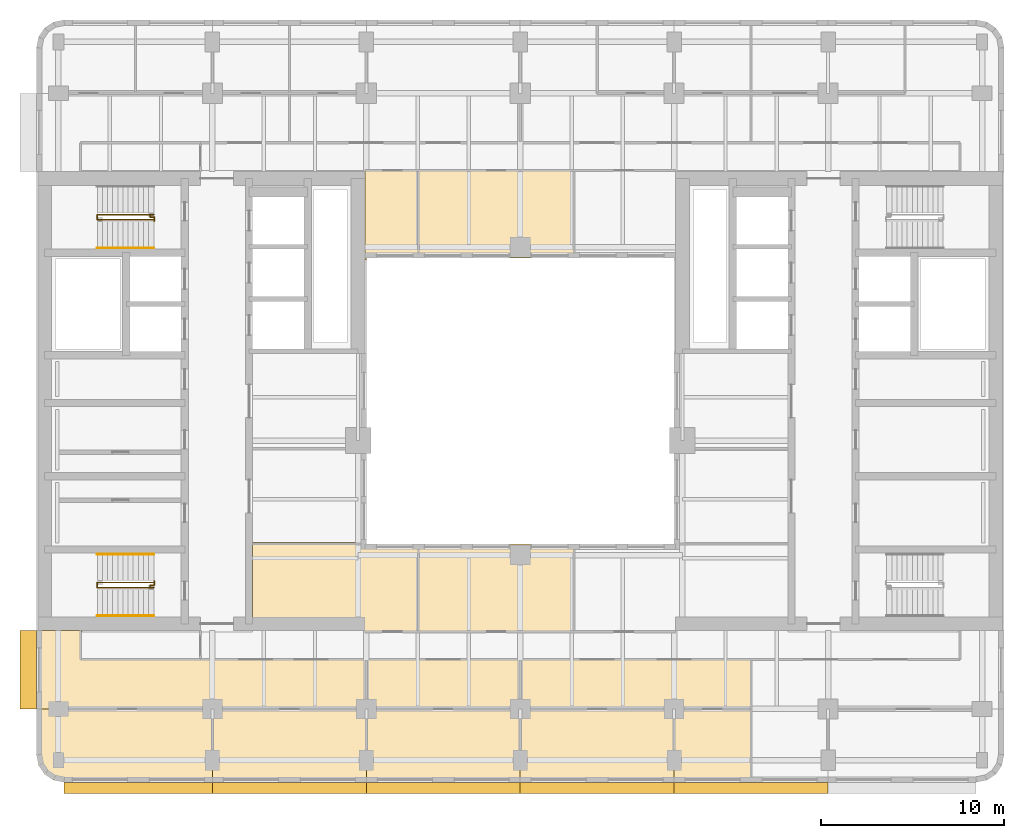
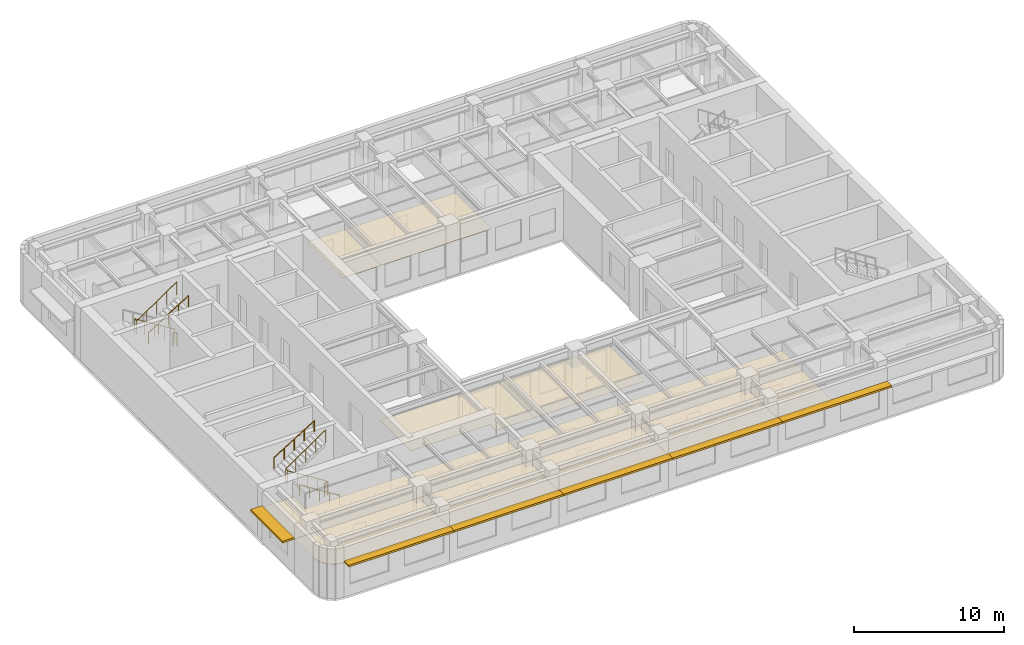
# One storey, part 10 of 12: 12 coverings, 7 railings, 6 shading devices.
"""IFC4 building model written with IfcOpenShell, lengths in metres."""

from ifc_helpers import new_model, si_unit, direction, frame, origin, origin_2d, place, context, subcontext, project, spatial, polyline, rectangle, circle, outline, extrude, material, layer, layer_set, type_object, element, save


model = new_model("IFC4")

# Units and contexts
model_context = context("Model", 3, precision=1e-05, world=origin(), true_north=direction((0.0, 1.0)))
body_context = subcontext(model_context, "Body", "Model", "MODEL_VIEW")
ifc_project = project(units=[si_unit("LENGTHUNIT", "METRE"), si_unit("AREAUNIT", "SQUARE_METRE"), si_unit("VOLUMEUNIT", "CUBIC_METRE"), si_unit("PLANEANGLEUNIT", "RADIAN"), si_unit("MASSUNIT", "GRAM", prefix="KILO")], contexts=[model_context])

# Site, building, storey
site_placement = place(None, origin())
site = spatial("IfcSite", under=ifc_project, at=site_placement, CompositionType="ELEMENT")
building_placement = place(site_placement, origin())
building = spatial("IfcBuilding", under=site, at=building_placement, Name="Claustro Exchange Tower", CompositionType="ELEMENT")
storey_placement = place(building_placement, frame((0.0, 0.0, 223.800048828125)))
storey = spatial("IfcBuildingStorey", under=building, at=storey_placement, Name="L51", CompositionType="ELEMENT", Elevation=223.800048828125)

# Coverings
ifc_material_1 = material(Name="Perforated metal ceiling tiles", Category="steel")
ifc_layer_1 = layer(ifc_material_1, 0.030029296875)
ifc_layer_set_1 = layer_set([ifc_layer_1], Name="Perforated metal ceiling tiles")
covering_type_1 = type_object("IfcCoveringType", Name="CL1 suspended metal ceiling", PredefinedType="CEILING", material=ifc_layer_set_1)
covering_1_placement = place(storey_placement, frame((0.0, 0.0, 2.800048828125)))
element("IfcCovering", 1, at=covering_1_placement, inside=storey, type_object=covering_type_1, Name="Ceiling CL1 L51-10", PredefinedType="CEILING", context=body_context, shape_type="SweptSolid", body=[
    extrude(outline(polyline([(1.199951171875, 11.10009765625), (1.199951171875, 12.60009765625), (1.294921875, 12.60009765625), (1.294921875, 12.675048828125), (-1.125, 12.675048828125), (-1.125, 12.695068359375), (-1.199951171875, 12.695068359375), (-1.199951171875, 8.39990234375), (16.800048828125, 8.39990234375), (16.800048828125, 11.10009765625), (1.199951171875, 11.10009765625)])), origin(), (0.0, 0.0, 1.0), 0.02978515625),
])
ifc_material_2 = material(Name="Gypsum board ceiling", Category="gypsum board")
ifc_layer_2 = layer(ifc_material_2, 0.02490234375)
ifc_layer_set_2 = layer_set([ifc_layer_2], Name="Gypsum board ceiling")
covering_type_2 = type_object("IfcCoveringType", Name="CL2 plasterboard ceiling", PredefinedType="CEILING", material=ifc_layer_set_2)
covering_2_placement = place(storey_placement, frame((0.0, 0.0, 2.800048828125)))
element("IfcCovering", 2, at=covering_2_placement, inside=storey, type_object=covering_type_2, Name="Ceiling CL2 L51-01", PredefinedType="CEILING", context=body_context, shape_type="SweptSolid", body=[
    extrude(outline(polyline([(-1.085693359375, 5.325927734375), (-0.7607421875, 4.83935546875), (-0.27392578125, 4.51416015625), (0.300048828125, 4.39990234375), (8.39990234375, 4.39990234375), (8.39990234375, 8.39990234375), (-1.199951171875, 8.39990234375), (-1.199951171875, 5.89990234375), (-1.085693359375, 5.325927734375)])), origin(), (0.0, 0.0, 1.0), 0.02490234375),
])
covering_3_placement = place(storey_placement, frame((0.0, 0.0, 2.800048828125)))
element("IfcCovering", 3, at=covering_3_placement, inside=storey, type_object=covering_type_2, Name="Ceiling CL2 L51-02", PredefinedType="CEILING", context=body_context, shape_type="SweptSolid", body=[
    extrude(outline(polyline([(8.39990234375, 4.39990234375), (16.800048828125, 4.39990234375), (16.800048828125, 8.39990234375), (8.39990234375, 8.39990234375), (8.39990234375, 4.39990234375)])), origin(), (0.0, 0.0, 1.0), 0.02490234375),
])
covering_4_placement = place(storey_placement, frame((0.0, 0.0, 2.800048828125)))
element("IfcCovering", 4, at=covering_4_placement, inside=storey, type_object=covering_type_2, Name="Ceiling CL2 L51-03", PredefinedType="CEILING", context=body_context, shape_type="SweptSolid", body=[
    extrude(outline(polyline([(16.800048828125, 4.39990234375), (25.199951171875, 4.39990234375), (25.199951171875, 8.39990234375), (16.800048828125, 8.39990234375), (16.800048828125, 4.39990234375)])), origin(), (0.0, 0.0, 1.0), 0.02490234375),
])
covering_5_placement = place(storey_placement, frame((0.0, 0.0, 2.800048828125)))
element("IfcCovering", 5, at=covering_5_placement, inside=storey, type_object=covering_type_2, Name="Ceiling CL2 L51-04", PredefinedType="CEILING", context=body_context, shape_type="SweptSolid", body=[
    extrude(outline(polyline([(25.199951171875, 4.39990234375), (33.60009765625, 4.39990234375), (33.60009765625, 8.39990234375), (25.199951171875, 8.39990234375), (25.199951171875, 4.39990234375)])), origin(), (0.0, 0.0, 1.0), 0.02490234375),
])
covering_6_placement = place(storey_placement, frame((0.0, 0.0, 2.800048828125)))
element("IfcCovering", 6, at=covering_6_placement, inside=storey, type_object=covering_type_2, Name="Ceiling CL2 L51-05", PredefinedType="CEILING", context=body_context, shape_type="SweptSolid", body=[
    extrude(outline(polyline([(33.60009765625, 4.39990234375), (37.800048828125, 4.39990234375), (37.800048828125, 8.39990234375), (33.60009765625, 8.39990234375), (33.60009765625, 4.39990234375)])), origin(), (0.0, 0.0, 1.0), 0.02490234375),
])
covering_7_placement = place(storey_placement, frame((0.0, 0.0, 2.800048828125)))
element("IfcCovering", 7, at=covering_7_placement, inside=storey, type_object=covering_type_2, Name="Ceiling CL2 L51-08", PredefinedType="CEILING", context=body_context, shape_type="SweptSolid", body=[
    extrude(outline(polyline([(16.800048828125, 8.39990234375), (25.199951171875, 8.39990234375), (25.199951171875, 11.10009765625), (16.800048828125, 11.10009765625), (16.800048828125, 8.39990234375)])), origin(), (0.0, 0.0, 1.0), 0.02490234375),
])
covering_8_placement = place(storey_placement, frame((0.0, 0.0, 2.800048828125)))
element("IfcCovering", 8, at=covering_8_placement, inside=storey, type_object=covering_type_2, Name="Ceiling CL2 L51-09", PredefinedType="CEILING", context=body_context, shape_type="SweptSolid", body=[
    extrude(outline(polyline([(33.60009765625, 8.39990234375), (37.800048828125, 8.39990234375), (37.800048828125, 11.10009765625), (25.199951171875, 11.10009765625), (25.199951171875, 8.39990234375), (33.60009765625, 8.39990234375)])), origin(), (0.0, 0.0, 1.0), 0.02490234375),
])
covering_9_placement = place(storey_placement, frame((0.0, 0.0, 2.800048828125)))
element("IfcCovering", 9, at=covering_9_placement, inside=storey, type_object=covering_type_2, Name="Ceiling CL2 L51-13", PredefinedType="CEILING", context=body_context, shape_type="SweptSolid", body=[
    extrude(outline(polyline([(28.1298828125, 17.39990234375), (19.64990234375, 17.39990234375), (19.64990234375, 12.60009765625), (28.1298828125, 12.60009765625), (28.1298828125, 17.39990234375)])), origin(), (0.0, 0.0, 1.0), 0.02490234375),
])
covering_10_placement = place(storey_placement, frame((0.0, 0.0, 2.800048828125)))
element("IfcCovering", 10, at=covering_10_placement, inside=storey, type_object=covering_type_2, Name="Ceiling CL2 L51-15", PredefinedType="CEILING", context=body_context, shape_type="SweptSolid", body=[
    extrude(outline(polyline([(19.64990234375, 17.39990234375), (16.800048828125, 17.39990234375), (16.800048828125, 17.4951171875), (10.60009765625, 17.4951171875), (10.60009765625, 13.405029296875), (16.705078125, 13.405029296875), (16.705078125, 12.60009765625), (19.64990234375, 12.60009765625), (19.64990234375, 17.39990234375)])), origin(), (0.0, 0.0, 1.0), 0.02490234375),
])
covering_11_placement = place(storey_placement, frame((0.0, 0.0, 2.800048828125)))
element("IfcCovering", 11, at=covering_11_placement, inside=storey, type_object=covering_type_2, Name="Ceiling CL2 L51-20", PredefinedType="CEILING", context=body_context, shape_type="SweptSolid", body=[
    extrude(outline(polyline([(19.64990234375, 37.800048828125), (16.705078125, 37.800048828125), (16.705078125, 37.72509765625), (16.72509765625, 37.72509765625), (16.72509765625, 32.905029296875), (16.800048828125, 32.905029296875), (16.800048828125, 33.0), (19.64990234375, 33.0), (19.64990234375, 37.800048828125)])), origin(), (0.0, 0.0, 1.0), 0.02490234375),
])
covering_12_placement = place(storey_placement, frame((0.0, 0.0, 2.800048828125)))
element("IfcCovering", 12, at=covering_12_placement, inside=storey, type_object=covering_type_2, Name="Ceiling CL2 L51-21", PredefinedType="CEILING", context=body_context, shape_type="SweptSolid", body=[
    extrude(outline(polyline([(19.64990234375, 33.0), (28.1298828125, 33.0), (28.1298828125, 37.800048828125), (19.64990234375, 37.800048828125), (19.64990234375, 33.0)])), origin(), (0.0, 0.0, 1.0), 0.02490234375),
])

# Railings
ifc_material_3 = material(Name="Steel balustrade, painted", Category="steel")
railing_type_1 = type_object("IfcRailingType", Name="GR2 1100 steel stair guard", PredefinedType="GUARDRAIL", material=ifc_material_3)
railing_1_placement = place(storey_placement, frame((5.199951171875, 15.02490234375, 0.175048828125)))
element("IfcRailing", 13, at=railing_1_placement, inside=storey, type_object=railing_type_1, Name="Stair well guard GR2 stair STWA L51", PredefinedType="GUARDRAIL", context=body_context, shape_type="SweptSolid", body=[
    extrude(circle(Radius=0.02392578125, at=origin_2d()), frame((0.0, 0.0, 1.076171875), z_axis=(-0.848009633417, 0.0, 0.529980812513), x_axis=(0.0, -1.0, 0.0)), (0.0, 0.0, 1.0), 3.6318359375),
    extrude(circle(Radius=0.02392578125, at=origin_2d()), frame((-3.079833984375, 0.0, 3.0009765625), z_axis=(0.0, 1.0, 0.0), x_axis=(-1.0, 0.0, 0.0)), (0.0, 0.0, 1.0), 0.275146484375),
    extrude(circle(Radius=0.02392578125, at=origin_2d()), frame((-3.079833984375, 0.275146484375, 3.0009765625), z_axis=(0.826201015165, 0.0, 0.563375436579), x_axis=(0.0, 1.0, 0.0)), (0.0, 0.0, 1.0), 3.727783203125),
    extrude(circle(Radius=0.02099609375, at=origin_2d()), origin(), (0.0, 0.0, 1.0), 1.052001953125),
    extrude(circle(Radius=0.02099609375, at=origin_2d()), frame((-0.77001953125, 0.0, 0.481201171875)), (0.0, 0.0, 1.0), 1.052001953125),
    extrude(circle(Radius=0.02099609375, at=origin_2d()), frame((-1.5400390625, 0.0, 0.96240234375)), (0.0, 0.0, 1.0), 1.052001953125),
    extrude(circle(Radius=0.02099609375, at=origin_2d()), frame((-2.309814453125, 0.0, 1.443603515625)), (0.0, 0.0, 1.0), 1.052001953125),
    extrude(circle(Radius=0.02099609375, at=origin_2d()), frame((-3.079833984375, 0.0, 1.9248046875)), (0.0, 0.0, 1.0), 1.052001953125),
    extrude(circle(Radius=0.02099609375, at=origin_2d()), frame((-3.079833984375, 0.275146484375, 1.9248046875)), (0.0, 0.0, 1.0), 1.052001953125),
    extrude(circle(Radius=0.02099609375, at=origin_2d()), frame((-2.309814453125, 0.275146484375, 2.44970703125)), (0.0, 0.0, 1.0), 1.052001953125),
    extrude(circle(Radius=0.02099609375, at=origin_2d()), frame((-1.5400390625, 0.275146484375, 2.974853515625)), (0.0, 0.0, 1.0), 1.052001953125),
    extrude(circle(Radius=0.02099609375, at=origin_2d()), frame((-0.77001953125, 0.275146484375, 3.5)), (0.0, 0.0, 1.0), 1.052001953125),
    extrude(circle(Radius=0.02099609375, at=origin_2d()), frame((0.0, 0.275146484375, 4.02490234375)), (0.0, 0.0, 1.0), 1.052001953125),
])
railing_2_placement = place(storey_placement, frame((5.0, 15.094970703125, 0.0)))
element("IfcRailing", 14, at=railing_2_placement, inside=storey, type_object=railing_type_1, Name="Stair guard GR2 STWA L51", PredefinedType="GUARDRAIL", context=body_context, shape_type="SweptSolid", body=[
    extrude(circle(Radius=0.02392578125, at=origin_2d()), frame((0.0, 0.0, 1.076171875), z_axis=(0.0, 1.0, 0.0), x_axis=(-1.0, 0.0, 0.0)), (0.0, 0.0, 1.0), 0.067626953125),
    extrude(circle(Radius=0.02392578125, at=origin_2d()), frame((0.0, 0.067626953125, 1.076171875), z_axis=(1.0, 0.0, 0.0), x_axis=(0.0, 1.0, 0.0)), (0.0, 0.0, 1.0), 0.22509765625),
    extrude(circle(Radius=0.02392578125, at=origin_2d()), frame((0.22509765625, 0.067626953125, 1.076171875), z_axis=(0.0, 1.0, 0.0), x_axis=(-1.0, 0.0, 0.0)), (0.0, 0.0, 1.0), 0.21728515625),
    extrude(circle(Radius=0.02099609375, at=origin_2d()), origin(), (0.0, 0.0, 1.0), 1.052001953125),
    extrude(circle(Radius=0.02099609375, at=origin_2d()), frame((0.0, 0.067626953125, 0.0)), (0.0, 0.0, 1.0), 1.052001953125),
    extrude(circle(Radius=0.02099609375, at=origin_2d()), frame((0.22509765625, 0.067626953125, 0.0)), (0.0, 0.0, 1.0), 1.052001953125),
    extrude(circle(Radius=0.02099609375, at=origin_2d()), frame((0.22509765625, 0.284912109375, 0.0)), (0.0, 0.0, 1.0), 1.052001953125),
])
railing_3_placement = place(storey_placement, frame((5.199951171875, 35.375, 0.175048828125)))
element("IfcRailing", 15, at=railing_3_placement, inside=storey, type_object=railing_type_1, Name="Stair well guard GR2 stair STWB L51", PredefinedType="GUARDRAIL", context=body_context, shape_type="SweptSolid", body=[
    extrude(circle(Radius=0.02392578125, at=origin_2d()), frame((0.0, 0.0, 1.076171875), z_axis=(-0.848009633417, 0.0, 0.529980812513), x_axis=(0.0, -1.0, 0.0)), (0.0, 0.0, 1.0), 3.6318359375),
    extrude(circle(Radius=0.02392578125, at=origin_2d()), frame((-3.079833984375, 0.0, 3.0009765625), z_axis=(0.0, -1.0, 0.0), x_axis=(1.0, 0.0, 0.0)), (0.0, 0.0, 1.0), 0.27490234375),
    extrude(circle(Radius=0.02392578125, at=origin_2d()), frame((-3.079833984375, -0.27490234375, 3.0009765625), z_axis=(0.826201015165, 0.0, 0.563375436579), x_axis=(0.0, 1.0, 0.0)), (0.0, 0.0, 1.0), 3.727783203125),
    extrude(circle(Radius=0.02099609375, at=origin_2d()), origin(), (0.0, 0.0, 1.0), 1.052001953125),
    extrude(circle(Radius=0.02099609375, at=origin_2d()), frame((-0.77001953125, 0.0, 0.481201171875)), (0.0, 0.0, 1.0), 1.052001953125),
    extrude(circle(Radius=0.02099609375, at=origin_2d()), frame((-1.5400390625, 0.0, 0.96240234375)), (0.0, 0.0, 1.0), 1.052001953125),
    extrude(circle(Radius=0.02099609375, at=origin_2d()), frame((-2.309814453125, 0.0, 1.443603515625)), (0.0, 0.0, 1.0), 1.052001953125),
    extrude(circle(Radius=0.02099609375, at=origin_2d()), frame((-3.079833984375, 0.0, 1.9248046875)), (0.0, 0.0, 1.0), 1.052001953125),
    extrude(circle(Radius=0.02099609375, at=origin_2d()), frame((-3.079833984375, -0.27490234375, 1.9248046875)), (0.0, 0.0, 1.0), 1.052001953125),
    extrude(circle(Radius=0.02099609375, at=origin_2d()), frame((-2.309814453125, -0.27490234375, 2.44970703125)), (0.0, 0.0, 1.0), 1.052001953125),
    extrude(circle(Radius=0.02099609375, at=origin_2d()), frame((-1.5400390625, -0.27490234375, 2.974853515625)), (0.0, 0.0, 1.0), 1.052001953125),
    extrude(circle(Radius=0.02099609375, at=origin_2d()), frame((-0.77001953125, -0.27490234375, 3.5)), (0.0, 0.0, 1.0), 1.052001953125),
    extrude(circle(Radius=0.02099609375, at=origin_2d()), frame((0.0, -0.27490234375, 4.02490234375)), (0.0, 0.0, 1.0), 1.052001953125),
])
railing_4_placement = place(storey_placement, frame((5.0, 35.304931640625, 0.0)))
element("IfcRailing", 16, at=railing_4_placement, inside=storey, type_object=railing_type_1, Name="Stair guard GR2 STWB L51", PredefinedType="GUARDRAIL", context=body_context, shape_type="SweptSolid", body=[
    extrude(circle(Radius=0.02392578125, at=origin_2d()), frame((0.0, 0.0, 1.076171875), z_axis=(0.0, -1.0, 0.0), x_axis=(1.0, 0.0, 0.0)), (0.0, 0.0, 1.0), 0.0673828125),
    extrude(circle(Radius=0.02392578125, at=origin_2d()), frame((0.0, -0.0673828125, 1.076171875), z_axis=(1.0, 0.0, 0.0), x_axis=(0.0, 1.0, 0.0)), (0.0, 0.0, 1.0), 0.22509765625),
    extrude(circle(Radius=0.02392578125, at=origin_2d()), frame((0.22509765625, -0.0673828125, 1.076171875), z_axis=(0.0, -1.0, 0.0), x_axis=(1.0, 0.0, 0.0)), (0.0, 0.0, 1.0), 0.217529296875),
    extrude(circle(Radius=0.02099609375, at=origin_2d()), origin(), (0.0, 0.0, 1.0), 1.052001953125),
    extrude(circle(Radius=0.02099609375, at=origin_2d()), frame((0.0, -0.0673828125, 0.0)), (0.0, 0.0, 1.0), 1.052001953125),
    extrude(circle(Radius=0.02099609375, at=origin_2d()), frame((0.22509765625, -0.0673828125, 0.0)), (0.0, 0.0, 1.0), 1.052001953125),
    extrude(circle(Radius=0.02099609375, at=origin_2d()), frame((0.22509765625, -0.284912109375, 0.0)), (0.0, 0.0, 1.0), 1.052001953125),
])
ifc_material_4 = material(Name="Stainless steel tube", Category="steel")
railing_type_2 = type_object("IfcRailingType", Name="HR1 900 stair handrail", PredefinedType="HANDRAIL", material=ifc_material_4)
railing_5_placement = place(storey_placement, frame((5.199951171875, 13.485107421875, 0.175048828125)))
element("IfcRailing", 17, at=railing_5_placement, inside=storey, type_object=railing_type_2, Name="Handrail HR1 stair STWA L51", PredefinedType="HANDRAIL", context=body_context, shape_type="SweptSolid", body=[
    extrude(circle(Radius=0.02392578125, at=origin_2d()), frame((0.0, 0.0, 0.8759765625), z_axis=(-0.848009633417, 0.0, 0.529980812513), x_axis=(0.0, -1.0, 0.0)), (0.0, 0.0, 1.0), 3.6318359375),
    extrude(circle(Radius=0.02099609375, at=origin_2d()), origin(), (0.0, 0.0, 1.0), 0.851806640625),
    extrude(circle(Radius=0.02099609375, at=origin_2d()), frame((-0.77001953125, 0.0, 0.481201171875)), (0.0, 0.0, 1.0), 0.851806640625),
    extrude(circle(Radius=0.02099609375, at=origin_2d()), frame((-1.5400390625, 0.0, 0.96240234375)), (0.0, 0.0, 1.0), 0.851806640625),
    extrude(circle(Radius=0.02099609375, at=origin_2d()), frame((-2.309814453125, 0.0, 1.443603515625)), (0.0, 0.0, 1.0), 0.851806640625),
    extrude(circle(Radius=0.02099609375, at=origin_2d()), frame((-3.079833984375, 0.0, 1.9248046875)), (0.0, 0.0, 1.0), 0.851806640625),
])
for number, where, name in (
    (18, (2.1201171875, 16.840087890625, 2.27490234375), "Handrail HR1 stair STWA L51"),
    (19, (2.1201171875, 33.56005859375, 2.27490234375), "Handrail HR1 stair STWB L51"),
):
    element("IfcRailing", number, at=place(storey_placement, frame(where)), inside=storey, type_object=railing_type_2, Name=name, PredefinedType="HANDRAIL", context=body_context, shape_type="SweptSolid", body=[
        extrude(circle(Radius=0.02392578125, at=origin_2d()), frame((0.0, 0.0, 0.8759765625), z_axis=(0.847979421464, 0.0, 0.530029150871), x_axis=(0.0, 1.0, 0.0)), (0.0, 0.0, 1.0), 3.632080078125),
        extrude(circle(Radius=0.02099609375, at=origin_2d()), origin(), (0.0, 0.0, 1.0), 0.851806640625),
        extrude(circle(Radius=0.02099609375, at=origin_2d()), frame((0.77001953125, 0.0, 0.481201171875)), (0.0, 0.0, 1.0), 0.851806640625),
        extrude(circle(Radius=0.02099609375, at=origin_2d()), frame((1.5400390625, 0.0, 0.96240234375)), (0.0, 0.0, 1.0), 0.851806640625),
        extrude(circle(Radius=0.02099609375, at=origin_2d()), frame((2.309814453125, 0.0, 1.44384765625)), (0.0, 0.0, 1.0), 0.851806640625),
        extrude(circle(Radius=0.02099609375, at=origin_2d()), frame((3.079833984375, 0.0, 1.925048828125)), (0.0, 0.0, 1.0), 0.851806640625),
    ])

# Shading devices
ifc_material_5 = material(Name="Concrete HA-40 (C40/50), precast, white cement, acid-etched", Category="concrete")
ifc_layer_3 = layer(ifc_material_5, 0.14990234375)
ifc_layer_set_3 = layer_set([ifc_layer_3], Name="Concrete HA-40 (C40/50), precast, white cement, acid-etched")
shading_device_type_1 = type_object("IfcShadingDeviceType", Name="SS1 600 precast concrete SUNSHADE", PredefinedType="SHUTTER", material=ifc_layer_set_3)
for number, where, z_axis, x_axis, name in (
    (20, (37.800048828125, 4.10009765625, 2.800048828125), (0.0, 0.0, 1.0), (-1.0, 0.0, 0.0), "Precast SUNSHADE SS1 L51"),
    (21, (29.39990234375, 4.10009765625, 2.800048828125), (0.0, 0.0, 1.0), (-1.0, 0.0, 0.0), "Precast SUNSHADE SS1 L51"),
    (22, (21.0, 4.10009765625, 2.800048828125), (0.0, 0.0, 1.0), (-1.0, 0.0, 0.0), "Precast SUNSHADE SS1 L51"),
    (23, (12.60009765625, 4.10009765625, 2.800048828125), (0.0, 0.0, 1.0), (-1.0, 0.0, 0.0), "Precast SUNSHADE SS1 L51"),
):
    element("IfcShadingDevice", number, at=place(storey_placement, frame(where, z_axis=z_axis, x_axis=x_axis)), inside=storey, type_object=shading_device_type_1, Name=name, PredefinedType="SHUTTER", context=body_context, shape_type="SweptSolid", body=[
        extrude(rectangle(XDim=8.39990234375, YDim=0.60009765625, at=origin_2d()), origin(), (0.0, 0.0, 1.0), 0.14990234375),
    ])
shading_device_1_placement = place(storey_placement, frame((4.357421875, 4.10009765625, 2.800048828125), z_axis=(0.0, 0.0, 1.0), x_axis=(-1.0, 0.0, 0.0)))
element("IfcShadingDevice", 24, at=shading_device_1_placement, inside=storey, type_object=shading_device_type_1, Name="Precast SUNSHADE SS1 L51", PredefinedType="SHUTTER", context=body_context, shape_type="SweptSolid", body=[
    extrude(rectangle(XDim=8.085205078125, YDim=0.60009765625, at=origin_2d()), origin(), (0.0, 0.0, 1.0), 0.14990234375),
])
ifc_material_6 = material(Name="Concrete HA-40 (C40/50), precast, white cement, acid-etched", Category="concrete")
ifc_layer_4 = layer(ifc_material_6, 0.14990234375)
ifc_layer_set_4 = layer_set([ifc_layer_4], Name="Concrete HA-40 (C40/50), precast, white cement, acid-etched")
shading_device_type_2 = type_object("IfcShadingDeviceType", Name="SS2 900 precast concrete SUNSHADE", PredefinedType="SHUTTER", material=ifc_layer_set_4)
shading_device_2_placement = place(storey_placement, frame((-1.64990234375, 10.53759765625, 2.800048828125), z_axis=(0.0, 0.0, 1.0), x_axis=(0.0, 1.0, 0.0)))
element("IfcShadingDevice", 25, at=shading_device_2_placement, inside=storey, type_object=shading_device_type_2, Name="Precast SUNSHADE SS2 L51", PredefinedType="SHUTTER", context=body_context, shape_type="SweptSolid", body=[
    extrude(rectangle(XDim=4.27490234375, YDim=0.89990234375, at=origin_2d()), origin(), (0.0, 0.0, 1.0), 0.14990234375),
])

save(model, "model.ifc")
